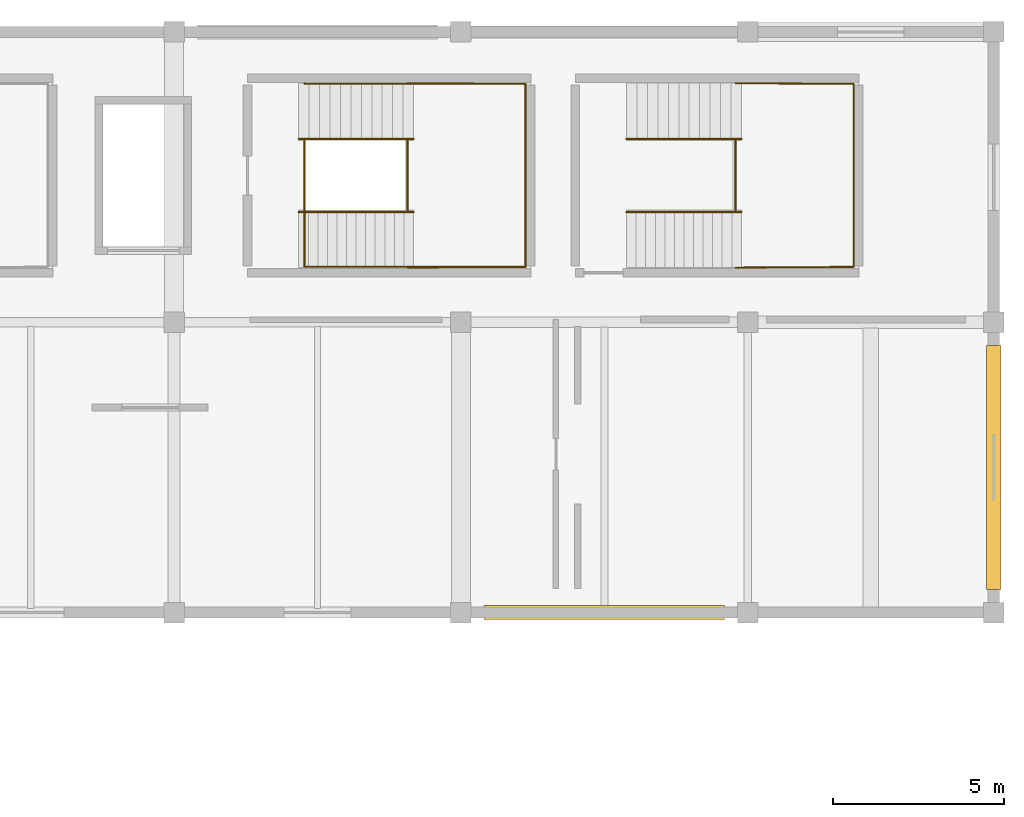
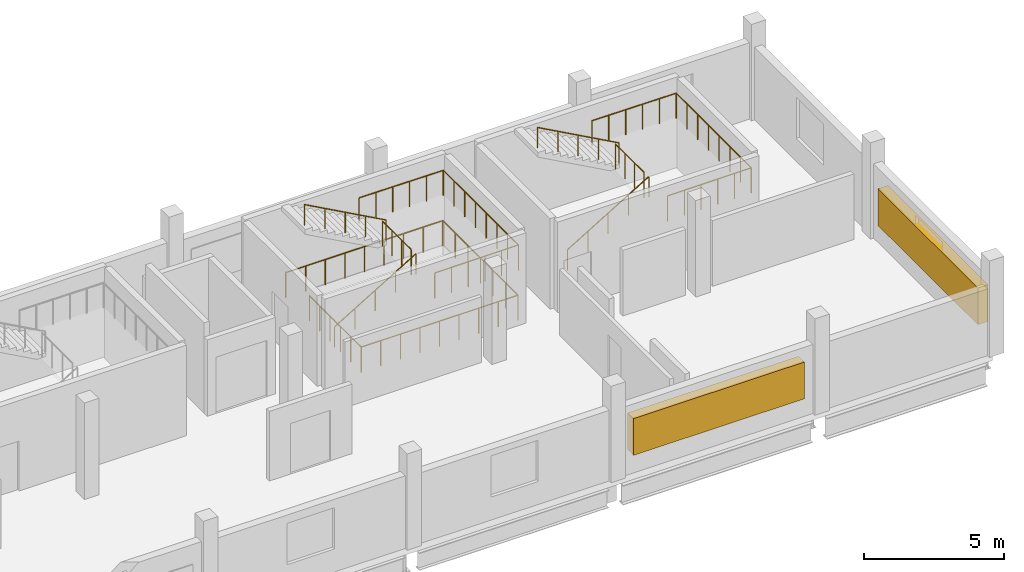
# One storey, part 51 of 52: 9 railings, 2 coverings.
"""IFC4 building model written with IfcOpenShell, lengths in metres."""

from ifc_helpers import new_model, si_unit, direction, frame, origin, origin_2d, place, context, subcontext, project, spatial, rectangle, circle, extrude, material, layer, layer_set, type_object, element, save


model = new_model("IFC4")

# Units and contexts
model_context = context("Model", 3, precision=1e-05, world=origin(), true_north=direction((0.0, 1.0)))
body_context = subcontext(model_context, "Body", "Model", "MODEL_VIEW")
ifc_project = project(units=[si_unit("LENGTHUNIT", "METRE"), si_unit("AREAUNIT", "SQUARE_METRE"), si_unit("VOLUMEUNIT", "CUBIC_METRE"), si_unit("PLANEANGLEUNIT", "RADIAN"), si_unit("MASSUNIT", "GRAM", prefix="KILO")], contexts=[model_context])

# Site, building, storey
site_placement = place(None, origin())
site = spatial("IfcSite", under=ifc_project, at=site_placement, CompositionType="ELEMENT")
building_placement = place(site_placement, origin())
building = spatial("IfcBuilding", under=site, at=building_placement, Name="Solvento Point Concert Hall", CompositionType="ELEMENT")
storey_placement = place(building_placement, frame((0.0, 0.0, 19.5)))
storey = spatial("IfcBuildingStorey", under=building, at=storey_placement, Name="L04", CompositionType="ELEMENT", Elevation=19.5)

# Railings
ifc_material_1 = material(Name="Brushed Stainless Steel Balustrade", Category="steel")
railing_type_1 = type_object("IfcRailingType", Name="StairHandrail_915", PredefinedType="HANDRAIL", material=ifc_material_1)
railing_1_placement = place(storey_placement, frame((195.64990234375, 130.72998046875, 0.16796875)))
element("IfcRailing", 1, at=railing_1_placement, inside=storey, type_object=railing_type_1, Name="Stair handrail HR-01 ST-02 L04 F1", PredefinedType="HANDRAIL", context=body_context, shape_type="SweptSolid", body=[
    extrude(circle(Radius=0.0224609375, at=origin_2d()), frame((0.0, 0.0, 0.892578125), z_axis=(0.857487428268, 0.0, 0.514504917724), x_axis=(0.0, 1.0, 0.0)), (0.0, 0.0, 1.0), 3.91845703125),
    extrude(circle(Radius=0.01904296875, at=origin_2d()), origin(), (0.0, 0.0, 1.0), 0.8701171875),
    extrude(circle(Radius=0.01904296875, at=origin_2d()), frame((0.840087890625, 0.0, 0.50390625)), (0.0, 0.0, 1.0), 0.8701171875),
    extrude(circle(Radius=0.01904296875, at=origin_2d()), frame((1.68017578125, 0.0, 1.008056640625)), (0.0, 0.0, 1.0), 0.8701171875),
    extrude(circle(Radius=0.01904296875, at=origin_2d()), frame((2.52001953125, 0.0, 1.51220703125)), (0.0, 0.0, 1.0), 0.8701171875),
    extrude(circle(Radius=0.01904296875, at=origin_2d()), frame((3.360107421875, 0.0, 2.01611328125)), (0.0, 0.0, 1.0), 0.8701171875),
])
railing_2_placement = place(storey_placement, frame((199.010009765625, 132.8701171875, 2.35205078125)))
element("IfcRailing", 2, at=railing_2_placement, inside=storey, type_object=railing_type_1, Name="Stair handrail HR-01 ST-02 L04 F2", PredefinedType="HANDRAIL", context=body_context, shape_type="SweptSolid", body=[
    extrude(circle(Radius=0.0224609375, at=origin_2d()), frame((0.0, 0.0, 0.892578125), z_axis=(-0.87623338261, 0.0, 0.48188697762), x_axis=(0.0, -1.0, 0.0)), (0.0, 0.0, 1.0), 3.834716796875),
    extrude(circle(Radius=0.01904296875, at=origin_2d()), origin(), (0.0, 0.0, 1.0), 0.8701171875),
    extrude(circle(Radius=0.01904296875, at=origin_2d()), frame((-0.840087890625, 0.0, 0.4619140625)), (0.0, 0.0, 1.0), 0.8701171875),
    extrude(circle(Radius=0.01904296875, at=origin_2d()), frame((-1.68017578125, 0.0, 0.923828125)), (0.0, 0.0, 1.0), 0.8701171875),
    extrude(circle(Radius=0.01904296875, at=origin_2d()), frame((-2.52001953125, 0.0, 1.385986328125)), (0.0, 0.0, 1.0), 0.8701171875),
    extrude(circle(Radius=0.01904296875, at=origin_2d()), frame((-3.360107421875, 0.0, 1.847900390625)), (0.0, 0.0, 1.0), 0.8701171875),
])
railing_3_placement = place(storey_placement, frame((205.25, 130.72998046875, 0.16796875)))
element("IfcRailing", 3, at=railing_3_placement, inside=storey, type_object=railing_type_1, Name="Stair handrail HR-01 ST-11 L04 F1", PredefinedType="HANDRAIL", context=body_context, shape_type="SweptSolid", body=[
    extrude(circle(Radius=0.0224609375, at=origin_2d()), frame((0.0, 0.0, 0.892578125), z_axis=(0.857487428268, 0.0, 0.514504917724), x_axis=(0.0, 1.0, 0.0)), (0.0, 0.0, 1.0), 3.91845703125),
    extrude(circle(Radius=0.01904296875, at=origin_2d()), origin(), (0.0, 0.0, 1.0), 0.8701171875),
    extrude(circle(Radius=0.01904296875, at=origin_2d()), frame((0.840087890625, 0.0, 0.50390625)), (0.0, 0.0, 1.0), 0.8701171875),
    extrude(circle(Radius=0.01904296875, at=origin_2d()), frame((1.68017578125, 0.0, 1.008056640625)), (0.0, 0.0, 1.0), 0.8701171875),
    extrude(circle(Radius=0.01904296875, at=origin_2d()), frame((2.52001953125, 0.0, 1.51220703125)), (0.0, 0.0, 1.0), 0.8701171875),
    extrude(circle(Radius=0.01904296875, at=origin_2d()), frame((3.360107421875, 0.0, 2.01611328125)), (0.0, 0.0, 1.0), 0.8701171875),
])
railing_4_placement = place(storey_placement, frame((208.610107421875, 132.8701171875, 2.35205078125)))
element("IfcRailing", 4, at=railing_4_placement, inside=storey, type_object=railing_type_1, Name="Stair handrail HR-01 ST-11 L04 F2", PredefinedType="HANDRAIL", context=body_context, shape_type="SweptSolid", body=[
    extrude(circle(Radius=0.0224609375, at=origin_2d()), frame((0.0, 0.0, 0.892578125), z_axis=(-0.87623338261, 0.0, 0.48188697762), x_axis=(0.0, -1.0, 0.0)), (0.0, 0.0, 1.0), 3.834716796875),
    extrude(circle(Radius=0.01904296875, at=origin_2d()), origin(), (0.0, 0.0, 1.0), 0.8701171875),
    extrude(circle(Radius=0.01904296875, at=origin_2d()), frame((-0.840087890625, 0.0, 0.4619140625)), (0.0, 0.0, 1.0), 0.8701171875),
    extrude(circle(Radius=0.01904296875, at=origin_2d()), frame((-1.68017578125, 0.0, 0.923828125)), (0.0, 0.0, 1.0), 0.8701171875),
    extrude(circle(Radius=0.01904296875, at=origin_2d()), frame((-2.52001953125, 0.0, 1.385986328125)), (0.0, 0.0, 1.0), 0.8701171875),
    extrude(circle(Radius=0.01904296875, at=origin_2d()), frame((-3.360107421875, 0.0, 1.847900390625)), (0.0, 0.0, 1.0), 0.8701171875),
])
ifc_material_2 = material(Name="Brushed Stainless Steel Balustrade", Category="steel")
railing_type_2 = type_object("IfcRailingType", Name="StairWellGuard_1100", PredefinedType="BALUSTRADE", material=ifc_material_2)
railing_5_placement = place(storey_placement, frame((195.820068359375, 132.820068359375, 0.0)))
element("IfcRailing", 5, at=railing_5_placement, inside=storey, type_object=railing_type_2, Name="Stairwell guard GR-02 ST-02 L04", PredefinedType="BALUSTRADE", context=body_context, shape_type="SweptSolid", body=[
    extrude(circle(Radius=0.02392578125, at=origin_2d()), frame((0.0, 0.0, 1.09619140625), z_axis=(0.0, -1.0, 0.0), x_axis=(1.0, 0.0, 0.0)), (0.0, 0.0, 1.0), 3.699951171875),
    extrude(circle(Radius=0.02392578125, at=origin_2d()), frame((0.0, -3.699951171875, 1.09619140625), z_axis=(1.0, 0.0, 0.0), x_axis=(0.0, 1.0, 0.0)), (0.0, 0.0, 1.0), 6.4599609375),
    extrude(circle(Radius=0.02392578125, at=origin_2d()), frame((6.4599609375, -3.699951171875, 1.09619140625), z_axis=(0.0, 1.0, 0.0), x_axis=(-1.0, 0.0, 0.0)), (0.0, 0.0, 1.0), 5.35986328125),
    extrude(circle(Radius=0.02392578125, at=origin_2d()), frame((6.4599609375, 1.659912109375, 1.09619140625), z_axis=(-1.0, 0.0, 0.0), x_axis=(0.0, -1.0, 0.0)), (0.0, 0.0, 1.0), 6.4599609375),
    extrude(circle(Radius=0.02392578125, at=origin_2d()), frame((0.0, 1.659912109375, 1.09619140625), z_axis=(0.0, 1.0, 0.0), x_axis=(-1.0, 0.0, 0.0)), (0.0, 0.0, 1.0), 0.02001953125),
    extrude(circle(Radius=0.02099609375, at=origin_2d()), origin(), (0.0, 0.0, 1.0), 1.072021484375),
    extrude(circle(Radius=0.02099609375, at=origin_2d()), frame((0.0, -0.739990234375, 0.0)), (0.0, 0.0, 1.0), 1.072021484375),
    extrude(circle(Radius=0.02099609375, at=origin_2d()), frame((0.0, -1.47998046875, 0.0)), (0.0, 0.0, 1.0), 1.072021484375),
    extrude(circle(Radius=0.02099609375, at=origin_2d()), frame((0.0, -2.219970703125, 0.0)), (0.0, 0.0, 1.0), 1.072021484375),
    extrude(circle(Radius=0.02099609375, at=origin_2d()), frame((0.0, -2.9599609375, 0.0)), (0.0, 0.0, 1.0), 1.072021484375),
    extrude(circle(Radius=0.02099609375, at=origin_2d()), frame((0.0, -3.699951171875, 0.0)), (0.0, 0.0, 1.0), 1.072021484375),
    extrude(circle(Radius=0.02099609375, at=origin_2d()), frame((0.8076171875, -3.699951171875, 0.0)), (0.0, 0.0, 1.0), 1.072021484375),
    extrude(circle(Radius=0.02099609375, at=origin_2d()), frame((1.614990234375, -3.699951171875, 0.0)), (0.0, 0.0, 1.0), 1.072021484375),
    extrude(circle(Radius=0.02099609375, at=origin_2d()), frame((2.42236328125, -3.699951171875, 0.0)), (0.0, 0.0, 1.0), 1.072021484375),
    extrude(circle(Radius=0.02099609375, at=origin_2d()), frame((3.22998046875, -3.699951171875, 0.0)), (0.0, 0.0, 1.0), 1.072021484375),
    extrude(circle(Radius=0.02099609375, at=origin_2d()), frame((4.03759765625, -3.699951171875, 0.0)), (0.0, 0.0, 1.0), 1.072021484375),
    extrude(circle(Radius=0.02099609375, at=origin_2d()), frame((4.844970703125, -3.699951171875, 0.0)), (0.0, 0.0, 1.0), 1.072021484375),
    extrude(circle(Radius=0.02099609375, at=origin_2d()), frame((5.65234375, -3.699951171875, 0.0)), (0.0, 0.0, 1.0), 1.072021484375),
    extrude(circle(Radius=0.02099609375, at=origin_2d()), frame((6.4599609375, -3.699951171875, 0.0)), (0.0, 0.0, 1.0), 1.072021484375),
    extrude(circle(Radius=0.02099609375, at=origin_2d()), frame((6.4599609375, -2.806640625, 0.0)), (0.0, 0.0, 1.0), 1.072021484375),
    extrude(circle(Radius=0.02099609375, at=origin_2d()), frame((6.4599609375, -1.913330078125, 0.0)), (0.0, 0.0, 1.0), 1.072021484375),
    extrude(circle(Radius=0.02099609375, at=origin_2d()), frame((6.4599609375, -1.02001953125, 0.0)), (0.0, 0.0, 1.0), 1.072021484375),
    extrude(circle(Radius=0.02099609375, at=origin_2d()), frame((6.4599609375, -0.126708984375, 0.0)), (0.0, 0.0, 1.0), 1.072021484375),
    extrude(circle(Radius=0.02099609375, at=origin_2d()), frame((6.4599609375, 0.7666015625, 0.0)), (0.0, 0.0, 1.0), 1.072021484375),
    extrude(circle(Radius=0.02099609375, at=origin_2d()), frame((6.4599609375, 1.659912109375, 0.0)), (0.0, 0.0, 1.0), 1.072021484375),
    extrude(circle(Radius=0.02099609375, at=origin_2d()), frame((5.65234375, 1.659912109375, 0.0)), (0.0, 0.0, 1.0), 1.072021484375),
    extrude(circle(Radius=0.02099609375, at=origin_2d()), frame((4.844970703125, 1.659912109375, 0.0)), (0.0, 0.0, 1.0), 1.072021484375),
    extrude(circle(Radius=0.02099609375, at=origin_2d()), frame((4.03759765625, 1.659912109375, 0.0)), (0.0, 0.0, 1.0), 1.072021484375),
    extrude(circle(Radius=0.02099609375, at=origin_2d()), frame((3.22998046875, 1.659912109375, 0.0)), (0.0, 0.0, 1.0), 1.072021484375),
    extrude(circle(Radius=0.02099609375, at=origin_2d()), frame((2.42236328125, 1.659912109375, 0.0)), (0.0, 0.0, 1.0), 1.072021484375),
    extrude(circle(Radius=0.02099609375, at=origin_2d()), frame((1.614990234375, 1.659912109375, 0.0)), (0.0, 0.0, 1.0), 1.072021484375),
    extrude(circle(Radius=0.02099609375, at=origin_2d()), frame((0.8076171875, 1.659912109375, 0.0)), (0.0, 0.0, 1.0), 1.072021484375),
    extrude(circle(Radius=0.02099609375, at=origin_2d()), frame((0.0, 1.659912109375, 0.0)), (0.0, 0.0, 1.0), 1.072021484375),
    extrude(circle(Radius=0.02099609375, at=origin_2d()), frame((0.0, 1.679931640625, 0.0)), (0.0, 0.0, 1.0), 1.072021484375),
])
railing_6_placement = place(storey_placement, frame((198.840087890625, 129.10009765625, 2.18408203125)))
element("IfcRailing", 6, at=railing_6_placement, inside=storey, type_object=railing_type_2, Name="Half-landing perimeter guard GR-02 ST-02 L04", PredefinedType="BALUSTRADE", context=body_context, shape_type="SweptSolid", body=[
    extrude(circle(Radius=0.02392578125, at=origin_2d()), frame((0.0, 0.0, 1.09619140625), z_axis=(0.999983261192, 0.005785960162, 0.0), x_axis=(-0.005785960162, 0.999983261192, 0.0)), (0.0, 0.0, 1.0), 3.4599609375),
    extrude(circle(Radius=0.02392578125, at=origin_2d()), frame((3.4599609375, 0.02001953125, 1.09619140625), z_axis=(0.0, 1.0, 0.0), x_axis=(-1.0, 0.0, 0.0)), (0.0, 0.0, 1.0), 5.35986328125),
    extrude(circle(Radius=0.02392578125, at=origin_2d()), frame((3.4599609375, 5.3798828125, 1.09619140625), z_axis=(-0.999983261192, 0.005785960162, 0.0), x_axis=(-0.005785960162, -0.999983261192, 0.0)), (0.0, 0.0, 1.0), 3.4599609375),
    extrude(circle(Radius=0.02099609375, at=origin_2d()), origin(), (0.0, 0.0, 1.0), 1.072021484375),
    extrude(circle(Radius=0.02099609375, at=origin_2d()), frame((0.69189453125, 0.00390625, 0.0)), (0.0, 0.0, 1.0), 1.072021484375),
    extrude(circle(Radius=0.02099609375, at=origin_2d()), frame((1.384033203125, 0.008056640625, 0.0)), (0.0, 0.0, 1.0), 1.072021484375),
    extrude(circle(Radius=0.02099609375, at=origin_2d()), frame((2.075927734375, 0.011962890625, 0.0)), (0.0, 0.0, 1.0), 1.072021484375),
    extrude(circle(Radius=0.02099609375, at=origin_2d()), frame((2.76806640625, 0.01611328125, 0.0)), (0.0, 0.0, 1.0), 1.072021484375),
    extrude(circle(Radius=0.02099609375, at=origin_2d()), frame((3.4599609375, 0.02001953125, 0.0)), (0.0, 0.0, 1.0), 1.072021484375),
    extrude(circle(Radius=0.02099609375, at=origin_2d()), frame((3.4599609375, 0.78564453125, 0.0)), (0.0, 0.0, 1.0), 1.072021484375),
    extrude(circle(Radius=0.02099609375, at=origin_2d()), frame((3.4599609375, 1.551513671875, 0.0)), (0.0, 0.0, 1.0), 1.072021484375),
    extrude(circle(Radius=0.02099609375, at=origin_2d()), frame((3.4599609375, 2.317138671875, 0.0)), (0.0, 0.0, 1.0), 1.072021484375),
    extrude(circle(Radius=0.02099609375, at=origin_2d()), frame((3.4599609375, 3.082763671875, 0.0)), (0.0, 0.0, 1.0), 1.072021484375),
    extrude(circle(Radius=0.02099609375, at=origin_2d()), frame((3.4599609375, 3.848388671875, 0.0)), (0.0, 0.0, 1.0), 1.072021484375),
    extrude(circle(Radius=0.02099609375, at=origin_2d()), frame((3.4599609375, 4.6142578125, 0.0)), (0.0, 0.0, 1.0), 1.072021484375),
    extrude(circle(Radius=0.02099609375, at=origin_2d()), frame((3.4599609375, 5.3798828125, 0.0)), (0.0, 0.0, 1.0), 1.072021484375),
    extrude(circle(Radius=0.02099609375, at=origin_2d()), frame((2.76806640625, 5.3837890625, 0.0)), (0.0, 0.0, 1.0), 1.072021484375),
    extrude(circle(Radius=0.02099609375, at=origin_2d()), frame((2.075927734375, 5.387939453125, 0.0)), (0.0, 0.0, 1.0), 1.072021484375),
    extrude(circle(Radius=0.02099609375, at=origin_2d()), frame((1.384033203125, 5.391845703125, 0.0)), (0.0, 0.0, 1.0), 1.072021484375),
    extrude(circle(Radius=0.02099609375, at=origin_2d()), frame((0.69189453125, 5.39599609375, 0.0)), (0.0, 0.0, 1.0), 1.072021484375),
    extrude(circle(Radius=0.02099609375, at=origin_2d()), frame((0.0, 5.39990234375, 0.0)), (0.0, 0.0, 1.0), 1.072021484375),
])
railing_7_placement = place(storey_placement, frame((198.840087890625, 130.780029296875, 2.18408203125)))
element("IfcRailing", 7, at=railing_7_placement, inside=storey, type_object=railing_type_2, Name="Half-landing slot guard GR-02 ST-02 L04", PredefinedType="BALUSTRADE", context=body_context, shape_type="SweptSolid", body=[
    extrude(circle(Radius=0.02392578125, at=origin_2d()), frame((0.0, 0.0, 1.09619140625), z_axis=(0.0, 1.0, 0.0), x_axis=(-1.0, 0.0, 0.0)), (0.0, 0.0, 1.0), 2.0400390625),
    extrude(circle(Radius=0.02099609375, at=origin_2d()), origin(), (0.0, 0.0, 1.0), 1.072021484375),
    extrude(circle(Radius=0.02099609375, at=origin_2d()), frame((0.0, 0.679931640625, 0.0)), (0.0, 0.0, 1.0), 1.072021484375),
    extrude(circle(Radius=0.02099609375, at=origin_2d()), frame((0.0, 1.360107421875, 0.0)), (0.0, 0.0, 1.0), 1.072021484375),
    extrude(circle(Radius=0.02099609375, at=origin_2d()), frame((0.0, 2.0400390625, 0.0)), (0.0, 0.0, 1.0), 1.072021484375),
])
railing_8_placement = place(storey_placement, frame((208.43994140625, 129.10009765625, 2.18408203125)))
element("IfcRailing", 8, at=railing_8_placement, inside=storey, type_object=railing_type_2, Name="Half-landing perimeter guard GR-02 ST-11 L04", PredefinedType="BALUSTRADE", context=body_context, shape_type="SweptSolid", body=[
    extrude(circle(Radius=0.02392578125, at=origin_2d()), frame((0.0, 0.0, 1.09619140625), z_axis=(0.999983261192, 0.005785960162, 0.0), x_axis=(-0.005785960162, 0.999983261192, 0.0)), (0.0, 0.0, 1.0), 3.4599609375),
    extrude(circle(Radius=0.02392578125, at=origin_2d()), frame((3.4599609375, 0.02001953125, 1.09619140625), z_axis=(0.0, 1.0, 0.0), x_axis=(-1.0, 0.0, 0.0)), (0.0, 0.0, 1.0), 5.35986328125),
    extrude(circle(Radius=0.02392578125, at=origin_2d()), frame((3.4599609375, 5.3798828125, 1.09619140625), z_axis=(-0.999983261192, 0.005785960162, 0.0), x_axis=(-0.005785960162, -0.999983261192, 0.0)), (0.0, 0.0, 1.0), 3.4599609375),
    extrude(circle(Radius=0.02099609375, at=origin_2d()), origin(), (0.0, 0.0, 1.0), 1.072021484375),
    extrude(circle(Radius=0.02099609375, at=origin_2d()), frame((0.69189453125, 0.00390625, 0.0)), (0.0, 0.0, 1.0), 1.072021484375),
    extrude(circle(Radius=0.02099609375, at=origin_2d()), frame((1.384033203125, 0.008056640625, 0.0)), (0.0, 0.0, 1.0), 1.072021484375),
    extrude(circle(Radius=0.02099609375, at=origin_2d()), frame((2.075927734375, 0.011962890625, 0.0)), (0.0, 0.0, 1.0), 1.072021484375),
    extrude(circle(Radius=0.02099609375, at=origin_2d()), frame((2.76806640625, 0.01611328125, 0.0)), (0.0, 0.0, 1.0), 1.072021484375),
    extrude(circle(Radius=0.02099609375, at=origin_2d()), frame((3.4599609375, 0.02001953125, 0.0)), (0.0, 0.0, 1.0), 1.072021484375),
    extrude(circle(Radius=0.02099609375, at=origin_2d()), frame((3.4599609375, 0.78564453125, 0.0)), (0.0, 0.0, 1.0), 1.072021484375),
    extrude(circle(Radius=0.02099609375, at=origin_2d()), frame((3.4599609375, 1.551513671875, 0.0)), (0.0, 0.0, 1.0), 1.072021484375),
    extrude(circle(Radius=0.02099609375, at=origin_2d()), frame((3.4599609375, 2.317138671875, 0.0)), (0.0, 0.0, 1.0), 1.072021484375),
    extrude(circle(Radius=0.02099609375, at=origin_2d()), frame((3.4599609375, 3.082763671875, 0.0)), (0.0, 0.0, 1.0), 1.072021484375),
    extrude(circle(Radius=0.02099609375, at=origin_2d()), frame((3.4599609375, 3.848388671875, 0.0)), (0.0, 0.0, 1.0), 1.072021484375),
    extrude(circle(Radius=0.02099609375, at=origin_2d()), frame((3.4599609375, 4.6142578125, 0.0)), (0.0, 0.0, 1.0), 1.072021484375),
    extrude(circle(Radius=0.02099609375, at=origin_2d()), frame((3.4599609375, 5.3798828125, 0.0)), (0.0, 0.0, 1.0), 1.072021484375),
    extrude(circle(Radius=0.02099609375, at=origin_2d()), frame((2.76806640625, 5.3837890625, 0.0)), (0.0, 0.0, 1.0), 1.072021484375),
    extrude(circle(Radius=0.02099609375, at=origin_2d()), frame((2.075927734375, 5.387939453125, 0.0)), (0.0, 0.0, 1.0), 1.072021484375),
    extrude(circle(Radius=0.02099609375, at=origin_2d()), frame((1.384033203125, 5.391845703125, 0.0)), (0.0, 0.0, 1.0), 1.072021484375),
    extrude(circle(Radius=0.02099609375, at=origin_2d()), frame((0.69189453125, 5.39599609375, 0.0)), (0.0, 0.0, 1.0), 1.072021484375),
    extrude(circle(Radius=0.02099609375, at=origin_2d()), frame((0.0, 5.39990234375, 0.0)), (0.0, 0.0, 1.0), 1.072021484375),
])
railing_9_placement = place(storey_placement, frame((208.43994140625, 130.780029296875, 2.18408203125)))
element("IfcRailing", 9, at=railing_9_placement, inside=storey, type_object=railing_type_2, Name="Half-landing slot guard GR-02 ST-11 L04", PredefinedType="BALUSTRADE", context=body_context, shape_type="SweptSolid", body=[
    extrude(circle(Radius=0.02392578125, at=origin_2d()), frame((0.0, 0.0, 1.09619140625), z_axis=(0.0, 1.0, 0.0), x_axis=(-1.0, 0.0, 0.0)), (0.0, 0.0, 1.0), 2.0400390625),
    extrude(circle(Radius=0.02099609375, at=origin_2d()), origin(), (0.0, 0.0, 1.0), 1.072021484375),
    extrude(circle(Radius=0.02099609375, at=origin_2d()), frame((0.0, 0.679931640625, 0.0)), (0.0, 0.0, 1.0), 1.072021484375),
    extrude(circle(Radius=0.02099609375, at=origin_2d()), frame((0.0, 1.360107421875, 0.0)), (0.0, 0.0, 1.0), 1.072021484375),
    extrude(circle(Radius=0.02099609375, at=origin_2d()), frame((0.0, 2.0400390625, 0.0)), (0.0, 0.0, 1.0), 1.072021484375),
])

# Coverings
ifc_material_3 = material(Name="Precast concrete C45/55", Category="concrete")
ifc_layer = layer(ifc_material_3, 0.159912109375)
ifc_layer_set = layer_set([ifc_layer], Name="Precast concrete C45/55")
covering_type = type_object("IfcCoveringType", Name="StormScreen_Precast", PredefinedType="CLADDING", material=ifc_layer_set)
covering_1_placement = place(storey_placement, frame((204.60009765625, 119.0, 0.800048828125), z_axis=(0.0, 0.0, 1.0), x_axis=(-1.0, 0.0, 0.0)))
element("IfcCovering", 10, at=covering_1_placement, inside=storey, type_object=covering_type, Name="Perforated precast storm-baffle screen SCR-01", PredefinedType="CLADDING", context=body_context, shape_type="SweptSolid", body=[
    extrude(rectangle(XDim=7.0400390625, YDim=0.419921875, at=origin_2d()), origin(), (0.0, 0.0, 1.0), 1.60009765625),
])
covering_2_placement = place(storey_placement, frame((216.0, 123.25, 0.800048828125), z_axis=(0.0, 0.0, 1.0), x_axis=(0.0, -1.0, 0.0)))
element("IfcCovering", 11, at=covering_2_placement, inside=storey, type_object=covering_type, Name="Perforated precast storm-baffle screen SCR-01", PredefinedType="CLADDING", context=body_context, shape_type="SweptSolid", body=[
    extrude(rectangle(XDim=7.139892578125, YDim=0.419921875, at=origin_2d()), origin(), (0.0, 0.0, 1.0), 1.60009765625),
])

save(model, "model.ifc")
